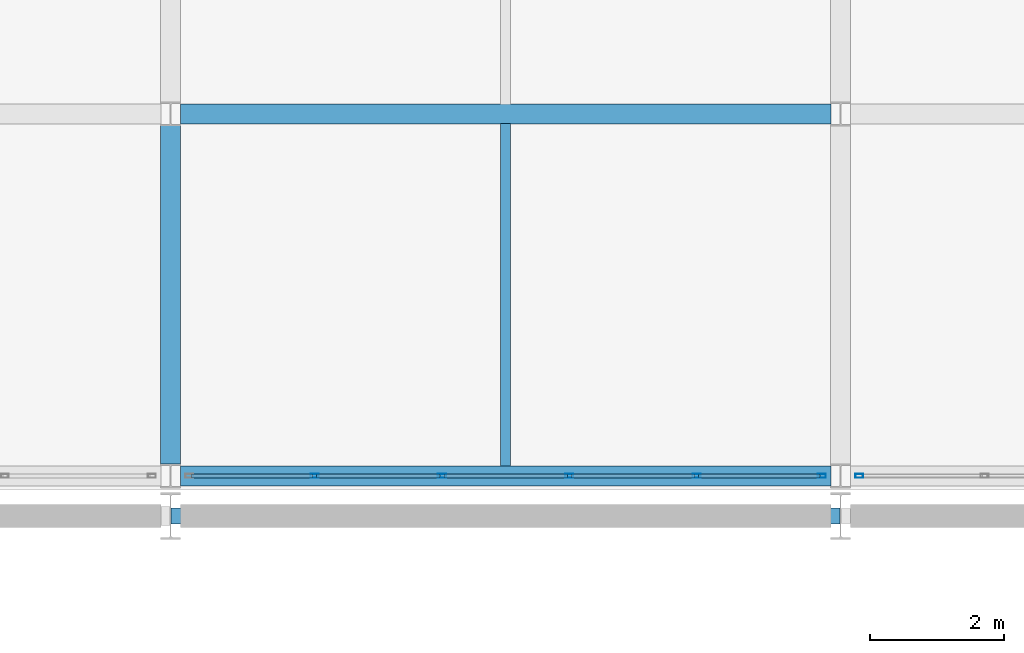
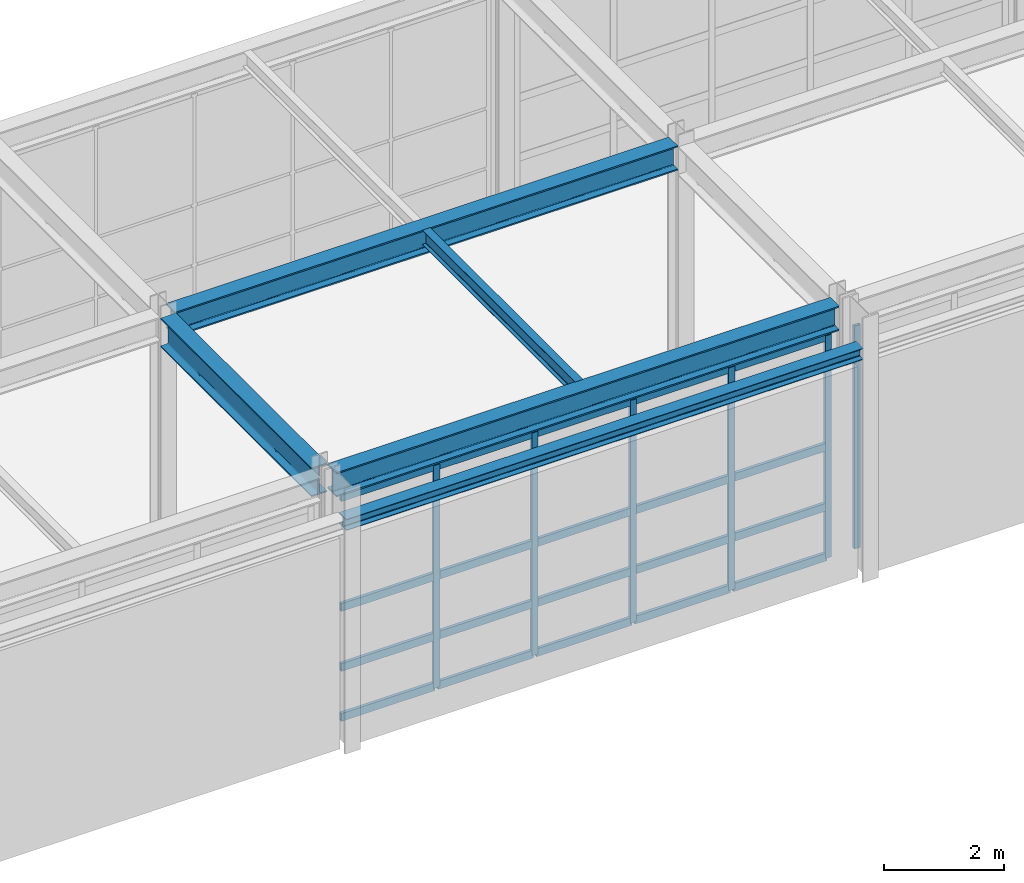
# One storey, part 168 of 239: 26 members, 5 beams, 2 elements without a shape of their own.
"""IFC4 building model written with IfcOpenShell, lengths in metres."""

from ifc_helpers import new_model, si_unit, direction, frame, origin, origin_2d, place, context, subcontext, project, spatial, hollow_rectangle, i_section, extrude, material, material_profile, profile_set, type_object, element, aggregate, save


model = new_model("IFC4")

# Units and contexts
model_context = context("Model", 3, precision=1e-05, world=origin(), true_north=direction((0.0, 1.0)))
body_context = subcontext(model_context, "Body", "Model", "MODEL_VIEW")
ifc_project = project(units=[si_unit("LENGTHUNIT", "METRE"), si_unit("AREAUNIT", "SQUARE_METRE"), si_unit("VOLUMEUNIT", "CUBIC_METRE"), si_unit("PLANEANGLEUNIT", "RADIAN"), si_unit("MASSUNIT", "GRAM", prefix="KILO")], contexts=[model_context])

# Site, building, storey
site_placement = place(None, origin())
site = spatial("IfcSite", under=ifc_project, at=site_placement, CompositionType="ELEMENT")
building_placement = place(site_placement, origin())
building = spatial("IfcBuilding", under=site, at=building_placement, Name="Kaldris Quays Convention Centre", CompositionType="ELEMENT")
storey_placement = place(building_placement, frame((0.0, 0.0, 11.39990234375)))
storey = spatial("IfcBuildingStorey", under=building, at=storey_placement, Name="L02", CompositionType="ELEMENT", Elevation=11.39990234375)

# Curtain wall, members
ifc_material_1 = material(Name="Anodized aluminium AW-6060 and triple glazing", Category="aluminium")
curtain_wall_type = type_object("IfcCurtainWallType", Name="UNITISED CURTAIN WALL CW06", PredefinedType="NOTDEFINED", material=ifc_material_1)
curtain_wall_1_placement = place(storey_placement, origin())
curtain_wall_1 = element("IfcCurtainWall", 1, at=curtain_wall_1_placement, inside=storey, type_object=curtain_wall_type, Name="L02 Unitised Curtain Wall CW06 169", PredefinedType="NOTDEFINED")
ifc_material_2 = material(Name="Anodized aluminium AW-6060", Category="aluminium")
ifc_material_profile_1 = material_profile(ifc_material_2, hollow_rectangle(XDim=0.06005859375, YDim=0.1201171875, WallThickness=0.00390625, at=origin_2d()), Name="RHS 120x60x4")
ifc_profile_set_1 = profile_set([ifc_material_profile_1], Name="Anodized aluminium AW-6060")
member_type_1 = type_object("IfcMemberType", Name="CURTAIN MULLION CWM3", PredefinedType="MULLION", material=ifc_profile_set_1)
member_1_placement = place(storey_placement, frame((176.14990234375, 104.60009765625, 0.0), z_axis=(0.0, 0.0, 1.0), x_axis=(0.0, 1.0, 0.0)))
member_1 = element("IfcMember", 2, at=member_1_placement, type_object=member_type_1, Name="CW06 mullion 2", PredefinedType="MULLION", context=body_context, shape_type="SweptSolid", body=[
    extrude(hollow_rectangle(XDim=0.06005859375, YDim=0.1201171875, WallThickness=0.00390625, at=origin_2d()), origin(), (0.0, 0.0, 1.0), 4.548095703125),
])
member_2_placement = place(storey_placement, frame((178.050048828125, 104.60009765625, 0.0), z_axis=(0.0, 0.0, 1.0), x_axis=(0.0, 1.0, 0.0)))
member_2 = element("IfcMember", 3, at=member_2_placement, type_object=member_type_1, Name="CW06 mullion 3", PredefinedType="MULLION", context=body_context, shape_type="SweptSolid", body=[
    extrude(hollow_rectangle(XDim=0.06005859375, YDim=0.1201171875, WallThickness=0.00390625, at=origin_2d()), origin(), (0.0, 0.0, 1.0), 4.548095703125),
])
member_3_placement = place(storey_placement, frame((179.949951171875, 104.60009765625, 0.0), z_axis=(0.0, 0.0, 1.0), x_axis=(0.0, 1.0, 0.0)))
member_3 = element("IfcMember", 4, at=member_3_placement, type_object=member_type_1, Name="CW06 mullion 4", PredefinedType="MULLION", context=body_context, shape_type="SweptSolid", body=[
    extrude(hollow_rectangle(XDim=0.06005859375, YDim=0.1201171875, WallThickness=0.00390625, at=origin_2d()), origin(), (0.0, 0.0, 1.0), 4.548095703125),
])
member_4_placement = place(storey_placement, frame((181.85009765625, 104.60009765625, 0.0), z_axis=(0.0, 0.0, 1.0), x_axis=(0.0, 1.0, 0.0)))
member_4 = element("IfcMember", 5, at=member_4_placement, type_object=member_type_1, Name="CW06 mullion 5", PredefinedType="MULLION", context=body_context, shape_type="SweptSolid", body=[
    extrude(hollow_rectangle(XDim=0.06005859375, YDim=0.1201171875, WallThickness=0.00390625, at=origin_2d()), origin(), (0.0, 0.0, 1.0), 4.548095703125),
])
member_5_placement = place(storey_placement, frame((183.719970703125, 104.60009765625, 0.0), z_axis=(0.0, 0.0, 1.0), x_axis=(0.0, 1.0, 0.0)))
member_5 = element("IfcMember", 6, at=member_5_placement, type_object=member_type_1, Name="CW06 mullion 6", PredefinedType="MULLION", context=body_context, shape_type="SweptSolid", body=[
    extrude(hollow_rectangle(XDim=0.06005859375, YDim=0.1201171875, WallThickness=0.00390625, at=origin_2d()), origin(), (0.0, 0.0, 1.0), 4.548095703125),
])

# Curtain wall, member
curtain_wall_2_placement = place(storey_placement, origin())
curtain_wall_2 = element("IfcCurtainWall", 7, at=curtain_wall_2_placement, inside=storey, type_object=curtain_wall_type, Name="L02 Unitised Curtain Wall CW06 171", PredefinedType="NOTDEFINED")
member_6_placement = place(storey_placement, frame((184.280029296875, 104.60009765625, 0.0), z_axis=(0.0, 0.0, 1.0), x_axis=(0.0, 1.0, 0.0)))
member_6 = element("IfcMember", 8, at=member_6_placement, type_object=member_type_1, Name="CW06 mullion 1", PredefinedType="MULLION", context=body_context, shape_type="SweptSolid", body=[
    extrude(hollow_rectangle(XDim=0.06005859375, YDim=0.1201171875, WallThickness=0.00390625, at=origin_2d()), origin(), (0.0, 0.0, 1.0), 4.548095703125),
])
aggregate(curtain_wall_2, [member_6])

# Member
ifc_material_profile_2 = material_profile(ifc_material_2, hollow_rectangle(XDim=0.06005859375, YDim=0.159912109375, WallThickness=0.00390625, at=origin_2d()), Name="RHS 160x60x4")
ifc_profile_set_2 = profile_set([ifc_material_profile_2], Name="Anodized aluminium AW-6060")
member_type_2 = type_object("IfcMemberType", Name="CURTAIN TRANSOM CWT2", PredefinedType="USERDEFINED", material=ifc_profile_set_2)
member_7_placement = place(storey_placement, frame((174.31005859375, 104.60009765625, 0.030029296875), z_axis=(1.0, 0.0, 0.0), x_axis=(0.0, 1.0, 0.0)))
member_7 = element("IfcMember", 9, at=member_7_placement, type_object=member_type_2, Name="CW06 transom 1.1", ObjectType="TRANSOM", PredefinedType="USERDEFINED", context=body_context, shape_type="SweptSolid", body=[
    extrude(hollow_rectangle(XDim=0.06005859375, YDim=0.159912109375, WallThickness=0.00390625, at=origin_2d()), origin(), (0.0, 0.0, 1.0), 1.81005859375),
])

member_8_placement = place(storey_placement, frame((174.31005859375, 104.60009765625, 1.050048828125), z_axis=(1.0, 0.0, 0.0), x_axis=(0.0, 1.0, 0.0)))
member_8 = element("IfcMember", 10, at=member_8_placement, type_object=member_type_2, Name="CW06 transom 1.2", ObjectType="TRANSOM", PredefinedType="USERDEFINED", context=body_context, shape_type="SweptSolid", body=[
    extrude(hollow_rectangle(XDim=0.06005859375, YDim=0.159912109375, WallThickness=0.00390625, at=origin_2d()), origin(), (0.0, 0.0, 1.0), 1.81005859375),
])

member_9_placement = place(storey_placement, frame((174.31005859375, 104.60009765625, 2.274169921875), z_axis=(1.0, 0.0, 0.0), x_axis=(0.0, 1.0, 0.0)))
member_9 = element("IfcMember", 11, at=member_9_placement, type_object=member_type_2, Name="CW06 transom 1.3", ObjectType="TRANSOM", PredefinedType="USERDEFINED", context=body_context, shape_type="SweptSolid", body=[
    extrude(hollow_rectangle(XDim=0.06005859375, YDim=0.159912109375, WallThickness=0.00390625, at=origin_2d()), origin(), (0.0, 0.0, 1.0), 1.81005859375),
])

member_10_placement = place(storey_placement, frame((174.31005859375, 104.60009765625, 4.51806640625), z_axis=(1.0, 0.0, 0.0), x_axis=(0.0, 1.0, 0.0)))
member_10 = element("IfcMember", 12, at=member_10_placement, type_object=member_type_2, Name="CW06 transom 1.4", ObjectType="TRANSOM", PredefinedType="USERDEFINED", context=body_context, shape_type="SweptSolid", body=[
    extrude(hollow_rectangle(XDim=0.06005859375, YDim=0.159912109375, WallThickness=0.00390625, at=origin_2d()), origin(), (0.0, 0.0, 1.0), 1.81005859375),
])

member_11_placement = place(storey_placement, frame((176.179931640625, 104.60009765625, 0.030029296875), z_axis=(1.0, 0.0, 0.0), x_axis=(0.0, 1.0, 0.0)))
member_11 = element("IfcMember", 13, at=member_11_placement, type_object=member_type_2, Name="CW06 transom 2.1", ObjectType="TRANSOM", PredefinedType="USERDEFINED", context=body_context, shape_type="SweptSolid", body=[
    extrude(hollow_rectangle(XDim=0.06005859375, YDim=0.159912109375, WallThickness=0.00390625, at=origin_2d()), origin(), (0.0, 0.0, 1.0), 1.840087890625),
])

member_12_placement = place(storey_placement, frame((176.179931640625, 104.60009765625, 1.050048828125), z_axis=(1.0, 0.0, 0.0), x_axis=(0.0, 1.0, 0.0)))
member_12 = element("IfcMember", 14, at=member_12_placement, type_object=member_type_2, Name="CW06 transom 2.2", ObjectType="TRANSOM", PredefinedType="USERDEFINED", context=body_context, shape_type="SweptSolid", body=[
    extrude(hollow_rectangle(XDim=0.06005859375, YDim=0.159912109375, WallThickness=0.00390625, at=origin_2d()), origin(), (0.0, 0.0, 1.0), 1.840087890625),
])

member_13_placement = place(storey_placement, frame((176.179931640625, 104.60009765625, 2.274169921875), z_axis=(1.0, 0.0, 0.0), x_axis=(0.0, 1.0, 0.0)))
member_13 = element("IfcMember", 15, at=member_13_placement, type_object=member_type_2, Name="CW06 transom 2.3", ObjectType="TRANSOM", PredefinedType="USERDEFINED", context=body_context, shape_type="SweptSolid", body=[
    extrude(hollow_rectangle(XDim=0.06005859375, YDim=0.159912109375, WallThickness=0.00390625, at=origin_2d()), origin(), (0.0, 0.0, 1.0), 1.840087890625),
])

member_14_placement = place(storey_placement, frame((176.179931640625, 104.60009765625, 4.51806640625), z_axis=(1.0, 0.0, 0.0), x_axis=(0.0, 1.0, 0.0)))
member_14 = element("IfcMember", 16, at=member_14_placement, type_object=member_type_2, Name="CW06 transom 2.4", ObjectType="TRANSOM", PredefinedType="USERDEFINED", context=body_context, shape_type="SweptSolid", body=[
    extrude(hollow_rectangle(XDim=0.06005859375, YDim=0.159912109375, WallThickness=0.00390625, at=origin_2d()), origin(), (0.0, 0.0, 1.0), 1.840087890625),
])

member_15_placement = place(storey_placement, frame((178.080078125, 104.60009765625, 0.030029296875), z_axis=(1.0, 0.0, 0.0), x_axis=(0.0, 1.0, 0.0)))
member_15 = element("IfcMember", 17, at=member_15_placement, type_object=member_type_2, Name="CW06 transom 3.1", ObjectType="TRANSOM", PredefinedType="USERDEFINED", context=body_context, shape_type="SweptSolid", body=[
    extrude(hollow_rectangle(XDim=0.06005859375, YDim=0.159912109375, WallThickness=0.00390625, at=origin_2d()), origin(), (0.0, 0.0, 1.0), 1.83984375),
])

member_16_placement = place(storey_placement, frame((178.080078125, 104.60009765625, 1.050048828125), z_axis=(1.0, 0.0, 0.0), x_axis=(0.0, 1.0, 0.0)))
member_16 = element("IfcMember", 18, at=member_16_placement, type_object=member_type_2, Name="CW06 transom 3.2", ObjectType="TRANSOM", PredefinedType="USERDEFINED", context=body_context, shape_type="SweptSolid", body=[
    extrude(hollow_rectangle(XDim=0.06005859375, YDim=0.159912109375, WallThickness=0.00390625, at=origin_2d()), origin(), (0.0, 0.0, 1.0), 1.83984375),
])

member_17_placement = place(storey_placement, frame((178.080078125, 104.60009765625, 2.274169921875), z_axis=(1.0, 0.0, 0.0), x_axis=(0.0, 1.0, 0.0)))
member_17 = element("IfcMember", 19, at=member_17_placement, type_object=member_type_2, Name="CW06 transom 3.3", ObjectType="TRANSOM", PredefinedType="USERDEFINED", context=body_context, shape_type="SweptSolid", body=[
    extrude(hollow_rectangle(XDim=0.06005859375, YDim=0.159912109375, WallThickness=0.00390625, at=origin_2d()), origin(), (0.0, 0.0, 1.0), 1.83984375),
])

member_18_placement = place(storey_placement, frame((178.080078125, 104.60009765625, 4.51806640625), z_axis=(1.0, 0.0, 0.0), x_axis=(0.0, 1.0, 0.0)))
member_18 = element("IfcMember", 20, at=member_18_placement, type_object=member_type_2, Name="CW06 transom 3.4", ObjectType="TRANSOM", PredefinedType="USERDEFINED", context=body_context, shape_type="SweptSolid", body=[
    extrude(hollow_rectangle(XDim=0.06005859375, YDim=0.159912109375, WallThickness=0.00390625, at=origin_2d()), origin(), (0.0, 0.0, 1.0), 1.83984375),
])

member_19_placement = place(storey_placement, frame((179.97998046875, 104.60009765625, 0.030029296875), z_axis=(1.0, 0.0, 0.0), x_axis=(0.0, 1.0, 0.0)))
member_19 = element("IfcMember", 21, at=member_19_placement, type_object=member_type_2, Name="CW06 transom 4.1", ObjectType="TRANSOM", PredefinedType="USERDEFINED", context=body_context, shape_type="SweptSolid", body=[
    extrude(hollow_rectangle(XDim=0.06005859375, YDim=0.159912109375, WallThickness=0.00390625, at=origin_2d()), origin(), (0.0, 0.0, 1.0), 1.840087890625),
])

member_20_placement = place(storey_placement, frame((179.97998046875, 104.60009765625, 1.050048828125), z_axis=(1.0, 0.0, 0.0), x_axis=(0.0, 1.0, 0.0)))
member_20 = element("IfcMember", 22, at=member_20_placement, type_object=member_type_2, Name="CW06 transom 4.2", ObjectType="TRANSOM", PredefinedType="USERDEFINED", context=body_context, shape_type="SweptSolid", body=[
    extrude(hollow_rectangle(XDim=0.06005859375, YDim=0.159912109375, WallThickness=0.00390625, at=origin_2d()), origin(), (0.0, 0.0, 1.0), 1.840087890625),
])

member_21_placement = place(storey_placement, frame((179.97998046875, 104.60009765625, 2.274169921875), z_axis=(1.0, 0.0, 0.0), x_axis=(0.0, 1.0, 0.0)))
member_21 = element("IfcMember", 23, at=member_21_placement, type_object=member_type_2, Name="CW06 transom 4.3", ObjectType="TRANSOM", PredefinedType="USERDEFINED", context=body_context, shape_type="SweptSolid", body=[
    extrude(hollow_rectangle(XDim=0.06005859375, YDim=0.159912109375, WallThickness=0.00390625, at=origin_2d()), origin(), (0.0, 0.0, 1.0), 1.840087890625),
])

member_22_placement = place(storey_placement, frame((179.97998046875, 104.60009765625, 4.51806640625), z_axis=(1.0, 0.0, 0.0), x_axis=(0.0, 1.0, 0.0)))
member_22 = element("IfcMember", 24, at=member_22_placement, type_object=member_type_2, Name="CW06 transom 4.4", ObjectType="TRANSOM", PredefinedType="USERDEFINED", context=body_context, shape_type="SweptSolid", body=[
    extrude(hollow_rectangle(XDim=0.06005859375, YDim=0.159912109375, WallThickness=0.00390625, at=origin_2d()), origin(), (0.0, 0.0, 1.0), 1.840087890625),
])

member_23_placement = place(storey_placement, frame((181.8798828125, 104.60009765625, 0.030029296875), z_axis=(1.0, 0.0, 0.0), x_axis=(0.0, 1.0, 0.0)))
member_23 = element("IfcMember", 25, at=member_23_placement, type_object=member_type_2, Name="CW06 transom 5.1", ObjectType="TRANSOM", PredefinedType="USERDEFINED", context=body_context, shape_type="SweptSolid", body=[
    extrude(hollow_rectangle(XDim=0.06005859375, YDim=0.159912109375, WallThickness=0.00390625, at=origin_2d()), origin(), (0.0, 0.0, 1.0), 1.81005859375),
])

member_24_placement = place(storey_placement, frame((181.8798828125, 104.60009765625, 1.050048828125), z_axis=(1.0, 0.0, 0.0), x_axis=(0.0, 1.0, 0.0)))
member_24 = element("IfcMember", 26, at=member_24_placement, type_object=member_type_2, Name="CW06 transom 5.2", ObjectType="TRANSOM", PredefinedType="USERDEFINED", context=body_context, shape_type="SweptSolid", body=[
    extrude(hollow_rectangle(XDim=0.06005859375, YDim=0.159912109375, WallThickness=0.00390625, at=origin_2d()), origin(), (0.0, 0.0, 1.0), 1.81005859375),
])

member_25_placement = place(storey_placement, frame((181.8798828125, 104.60009765625, 2.274169921875), z_axis=(1.0, 0.0, 0.0), x_axis=(0.0, 1.0, 0.0)))
member_25 = element("IfcMember", 27, at=member_25_placement, type_object=member_type_2, Name="CW06 transom 5.3", ObjectType="TRANSOM", PredefinedType="USERDEFINED", context=body_context, shape_type="SweptSolid", body=[
    extrude(hollow_rectangle(XDim=0.06005859375, YDim=0.159912109375, WallThickness=0.00390625, at=origin_2d()), origin(), (0.0, 0.0, 1.0), 1.81005859375),
])

member_26_placement = place(storey_placement, frame((181.8798828125, 104.60009765625, 4.51806640625), z_axis=(1.0, 0.0, 0.0), x_axis=(0.0, 1.0, 0.0)))
member_26 = element("IfcMember", 28, at=member_26_placement, type_object=member_type_2, Name="CW06 transom 5.4", ObjectType="TRANSOM", PredefinedType="USERDEFINED", context=body_context, shape_type="SweptSolid", body=[
    extrude(hollow_rectangle(XDim=0.06005859375, YDim=0.159912109375, WallThickness=0.00390625, at=origin_2d()), origin(), (0.0, 0.0, 1.0), 1.81005859375),
])

aggregate(curtain_wall_1, [member_1, member_2, member_3, member_4, member_5, member_7, member_8, member_9, member_10, member_11, member_12, member_13, member_14, member_15, member_16, member_17, member_18, member_19, member_20, member_21, member_22, member_23, member_24, member_25, member_26])

# Beams
ifc_material_3 = material(Name="Steel S355J2", Category="steel")
ifc_material_profile_3 = material_profile(ifc_material_3, i_section(OverallWidth=0.300048828125, OverallDepth=0.5, WebThickness=0.014404296875, FlangeThickness=0.028076171875, FilletRadius=0.027099609375, at=origin_2d()), Name="HEB 500")
ifc_profile_set_3 = profile_set([ifc_material_profile_3], Name="Steel S355J2")
beam_type_1 = type_object("IfcBeamType", Name="STRUCTURAL BEAM BM06", PredefinedType="BEAM", material=ifc_profile_set_3)
for number, where, z_axis, x_axis, name in (
    (29, (174.14404296875, 104.60009765625, 4.9130859375), (1.0, 0.0, 0.0), (0.0, 1.0, 0.0), "L02 Girder BM06 44"),
    (30, (174.14404296875, 110.0, 4.9130859375), (1.0, 0.0, 0.0), (0.0, 1.0, 0.0), "L02 Girder BM06 49"),
):
    element("IfcBeam", number, at=place(storey_placement, frame(where, z_axis=z_axis, x_axis=x_axis)), inside=storey, type_object=beam_type_1, Name=name, PredefinedType="BEAM", context=body_context, shape_type="SweptSolid", body=[
        extrude(i_section(OverallWidth=0.300048828125, OverallDepth=0.5, WebThickness=0.014404296875, FlangeThickness=0.028076171875, FilletRadius=0.027099609375, at=origin_2d()), origin(), (0.0, 0.0, 1.0), 9.7119140625),
    ])
ifc_material_profile_4 = material_profile(ifc_material_3, i_section(OverallWidth=0.300048828125, OverallDepth=0.590087890625, WebThickness=0.012939453125, FlangeThickness=0.02490234375, FilletRadius=0.027099609375, at=origin_2d()), Name="HEA 600")
ifc_profile_set_4 = profile_set([ifc_material_profile_4], Name="Steel S355J2")
beam_type_2 = type_object("IfcBeamType", Name="STRUCTURAL BEAM BM08", PredefinedType="BEAM", material=ifc_profile_set_4)
beam_1_placement = place(storey_placement, frame((174.0, 104.77392578125, 4.8681640625), z_axis=(0.0, 1.0, 0.0), x_axis=(-1.0, 0.0, 0.0)))
element("IfcBeam", 31, at=beam_1_placement, inside=storey, type_object=beam_type_2, Name="L02 Girder BM08 104", PredefinedType="BEAM", context=body_context, shape_type="SweptSolid", body=[
    extrude(i_section(OverallWidth=0.300048828125, OverallDepth=0.590087890625, WebThickness=0.012939453125, FlangeThickness=0.02490234375, FilletRadius=0.027099609375, at=origin_2d()), origin(), (0.0, 0.0, 1.0), 5.052001953125),
])
ifc_material_profile_5 = material_profile(ifc_material_3, i_section(OverallWidth=0.14990234375, OverallDepth=0.300048828125, WebThickness=0.007080078125, FlangeThickness=0.0107421875, FilletRadius=0.014892578125, at=origin_2d()), Name="IPE 300")
ifc_profile_set_5 = profile_set([ifc_material_profile_5], Name="Steel S355J2")
beam_type_3 = type_object("IfcBeamType", Name="STRUCTURAL BEAM JT04", PredefinedType="JOIST", material=ifc_profile_set_5)
beam_2_placement = place(storey_placement, frame((179.0, 104.743896484375, 5.01318359375), z_axis=(0.0, 1.0, 0.0), x_axis=(-1.0, 0.0, 0.0)))
element("IfcBeam", 32, at=beam_2_placement, inside=storey, type_object=beam_type_3, Name="L02 Secondary Joist JT04 29", PredefinedType="JOIST", context=body_context, shape_type="SweptSolid", body=[
    extrude(i_section(OverallWidth=0.14990234375, OverallDepth=0.300048828125, WebThickness=0.007080078125, FlangeThickness=0.0107421875, FilletRadius=0.014892578125, at=origin_2d()), origin(), (0.0, 0.0, 1.0), 5.112060546875),
])
ifc_material_profile_6 = material_profile(ifc_material_3, i_section(OverallWidth=0.239990234375, OverallDepth=0.22998046875, WebThickness=0.007568359375, FlangeThickness=0.011962890625, FilletRadius=0.02099609375, at=origin_2d()), Name="HEA 240")
ifc_profile_set_6 = profile_set([ifc_material_profile_6], Name="Steel S355J2")
beam_type_4 = type_object("IfcBeamType", Name="STRUCTURAL BEAM SP04", PredefinedType="SPANDREL", material=ifc_profile_set_6)
beam_3_placement = place(storey_placement, frame((174.006103515625, 104.0, 4.485107421875), z_axis=(1.0, 0.0, 0.0), x_axis=(0.0, 1.0, 0.0)))
element("IfcBeam", 33, at=beam_3_placement, inside=storey, type_object=beam_type_4, Name="L02 Perimeter Wall-Bearing Spandrel SP04 70", PredefinedType="SPANDREL", context=body_context, shape_type="SweptSolid", body=[
    extrude(i_section(OverallWidth=0.239990234375, OverallDepth=0.22998046875, WebThickness=0.007568359375, FlangeThickness=0.011962890625, FilletRadius=0.02099609375, at=origin_2d()), origin(), (0.0, 0.0, 1.0), 9.98779296875),
])

save(model, "model.ifc")
